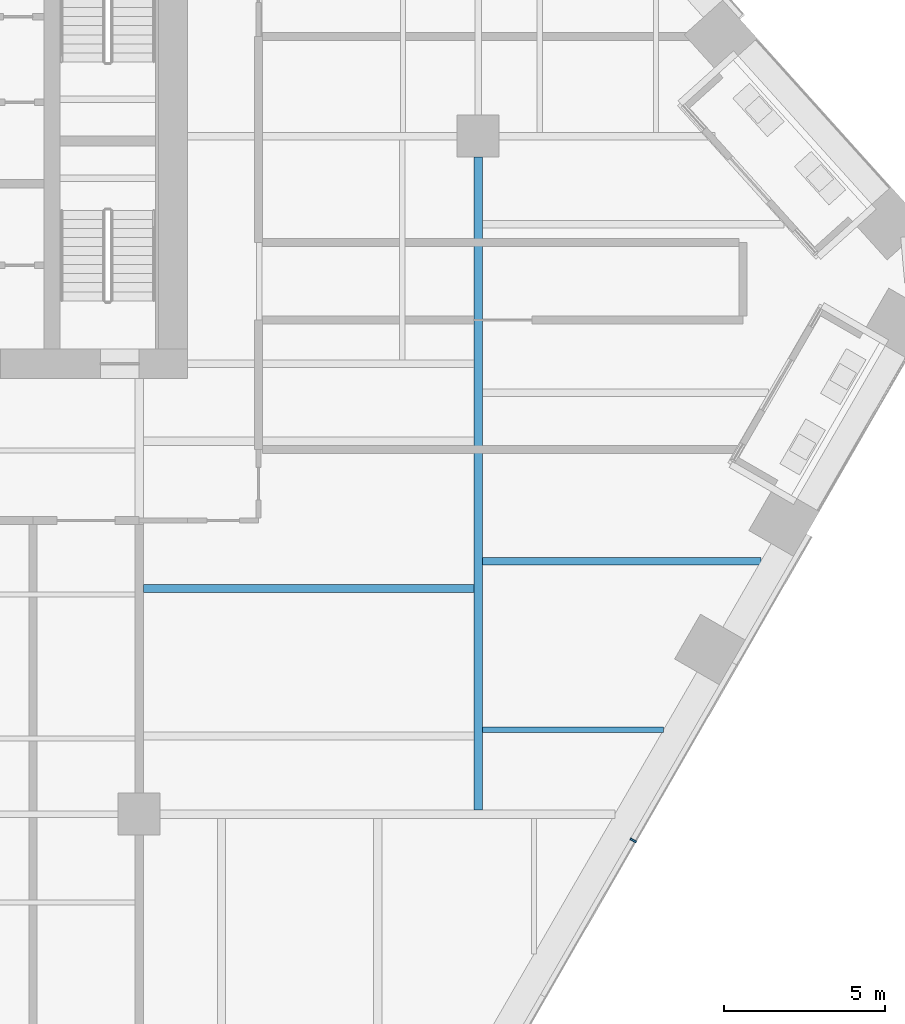
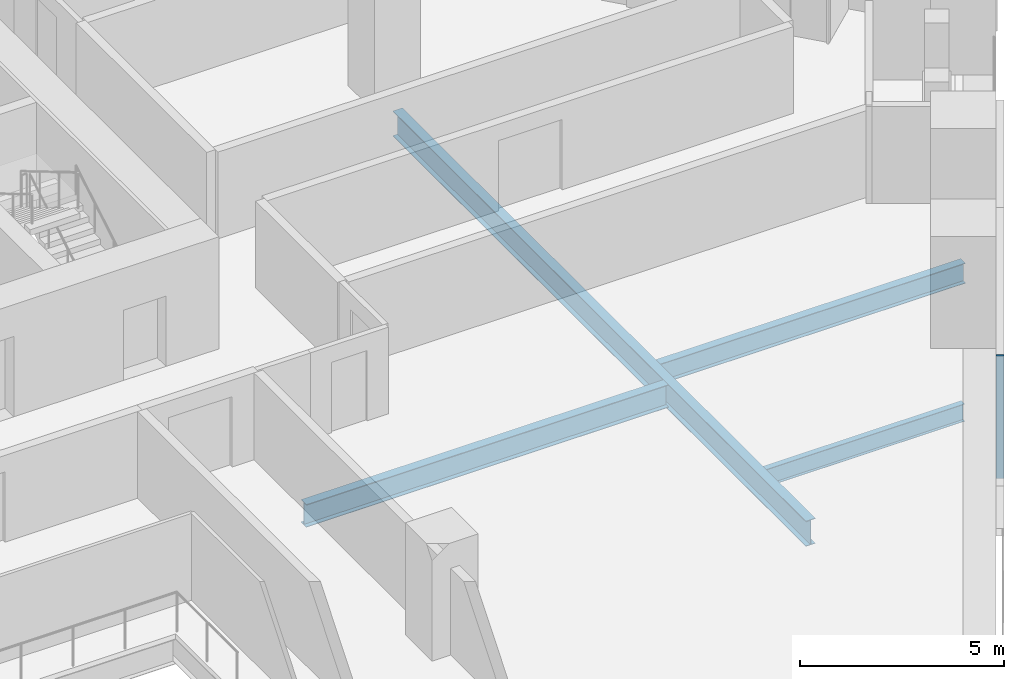
# One storey, part 9 of 31: 4 beams, 1 member, 1 element without a shape of its own.
"""IFC4 building model written with IfcOpenShell, lengths in metres."""

from ifc_helpers import new_model, si_unit, direction, frame, origin, origin_2d, place, context, subcontext, project, spatial, rectangle, i_section, extrude, material, layer, layer_set, material_profile, profile_set, type_object, element, aggregate, save


model = new_model("IFC4")

# Units and contexts
model_context = context("Model", 3, precision=1e-05, world=origin(), true_north=direction((0.0, 1.0)))
body_context = subcontext(model_context, "Body", "Model", "MODEL_VIEW")
ifc_project = project(units=[si_unit("LENGTHUNIT", "METRE"), si_unit("AREAUNIT", "SQUARE_METRE"), si_unit("VOLUMEUNIT", "CUBIC_METRE"), si_unit("PLANEANGLEUNIT", "RADIAN"), si_unit("MASSUNIT", "GRAM", prefix="KILO")], contexts=[model_context])

# Site, building, storey
site_placement = place(None, origin())
site = spatial("IfcSite", under=ifc_project, at=site_placement, CompositionType="ELEMENT")
building_placement = place(site_placement, origin())
building = spatial("IfcBuilding", under=site, at=building_placement, Name="Isthmus Gate Tower", CompositionType="ELEMENT")
storey_placement = place(building_placement, frame((0.0, 0.0, 113.5)))
storey = spatial("IfcBuildingStorey", under=building, at=storey_placement, Name="L27", CompositionType="ELEMENT", Elevation=113.5)

# Curtain wall, member
ifc_material_1 = material(Name="Aluminium, pale champagne anodised", Category="aluminium")
ifc_layer = layer(ifc_material_1, 0.199951171875)
ifc_layer_set = layer_set([ifc_layer], Name="CW-1 UNITISED CURTAIN WALL 200 DEEP")
curtain_wall_type = type_object("IfcCurtainWallType", Name="CW-1 UNITISED CURTAIN WALL 200 DEEP", PredefinedType="NOTDEFINED", material=ifc_layer_set)
curtain_wall_placement = place(storey_placement, origin())
curtain_wall = element("IfcCurtainWall", 1, at=curtain_wall_placement, inside=storey, type_object=curtain_wall_type, Name="CW-1 SE L27", PredefinedType="NOTDEFINED")
ifc_material_2 = material(Name="Aluminium, pale champagne anodised", Category="aluminium")
ifc_material_profile_1 = material_profile(ifc_material_2, rectangle(XDim=0.06005859375, YDim=0.199951171875, at=origin_2d()), Name="60x200")
ifc_profile_set_1 = profile_set([ifc_material_profile_1], Name="Aluminium, pale champagne anodised")
member_type = type_object("IfcMemberType", Name="CW-1 MULLION 60 X 200", PredefinedType="MULLION", material=ifc_profile_set_1)
member_placement = place(storey_placement, frame((28.802001953125, -14.3134765625, 0.0), z_axis=(0.0, 0.0, 1.0), x_axis=(0.5, 0.866025403784, 0.0)))
member = element("IfcMember", 2, at=member_placement, type_object=member_type, Name="CW-1 mullion", PredefinedType="MULLION", context=body_context, shape_type="SweptSolid", body=[
    extrude(rectangle(XDim=0.06005859375, YDim=0.199951171875, at=origin_2d()), origin(), (0.0, 0.0, 1.0), 3.64990234375),
])
aggregate(curtain_wall, [member])

# Beams
ifc_material_3 = material(Name="Structural steel ASTM A992 Gr 50", Category="steel")
ifc_material_profile_2 = material_profile(ifc_material_3, i_section(OverallWidth=0.1650390625, OverallDepth=0.52392578125, WebThickness=0.009521484375, FlangeThickness=0.010986328125, at=origin_2d()), Name="W21X44")
ifc_profile_set_2 = profile_set([ifc_material_profile_2], Name="Structural steel ASTM A992 Gr 50")
beam_type_1 = type_object("IfcBeamType", Name="STEEL FLOOR BEAM W21X44", PredefinedType="JOIST", material=ifc_profile_set_2)
beam_1_placement = place(storey_placement, frame((24.13330078125, -10.889404296875, -0.411865234375), z_axis=(1.0, 0.0, 0.0), x_axis=(0.0, 1.0, 0.0)))
element("IfcBeam", 3, at=beam_1_placement, inside=storey, type_object=beam_type_1, Name="str-beam-L27-38-00", PredefinedType="JOIST", context=body_context, shape_type="SweptSolid", body=[
    extrude(i_section(OverallWidth=0.1650390625, OverallDepth=0.52392578125, WebThickness=0.009521484375, FlangeThickness=0.010986328125, at=origin_2d()), origin(), (0.0, 0.0, 1.0), 5.6064453125),
])
ifc_material_4 = material(Name="Structural steel ASTM A992 Gr 50", Category="steel")
ifc_material_profile_3 = material_profile(ifc_material_4, i_section(OverallWidth=0.228515625, OverallDepth=0.603271484375, WebThickness=0.010986328125, FlangeThickness=0.014404296875, at=origin_2d()), Name="W24X68")
ifc_profile_set_3 = profile_set([ifc_material_profile_3], Name="Structural steel ASTM A992 Gr 50")
beam_type_2 = type_object("IfcBeamType", Name="STEEL FLOOR BEAM W24X68", PredefinedType="JOIST", material=ifc_profile_set_3)
beam_2_placement = place(storey_placement, frame((24.13330078125, -5.66796875, -0.45166015625), z_axis=(1.0, 0.0, 0.0), x_axis=(0.0, 1.0, 0.0)))
element("IfcBeam", 4, at=beam_2_placement, inside=storey, type_object=beam_type_2, Name="str-beam-L27-38-01", PredefinedType="JOIST", context=body_context, shape_type="SweptSolid", body=[
    extrude(i_section(OverallWidth=0.228515625, OverallDepth=0.603271484375, WebThickness=0.010986328125, FlangeThickness=0.014404296875, at=origin_2d()), origin(), (0.0, 0.0, 1.0), 8.62109375),
])
ifc_material_5 = material(Name="Structural steel ASTM A992 Gr 50", Category="steel")
ifc_material_profile_4 = material_profile(ifc_material_5, i_section(OverallWidth=0.25390625, OverallDepth=0.679443359375, WebThickness=0.010986328125, FlangeThickness=0.015869140625, at=origin_2d()), Name="W27X84")
ifc_profile_set_4 = profile_set([ifc_material_profile_4], Name="Structural steel ASTM A992 Gr 50")
beam_type_3 = type_object("IfcBeamType", Name="STEEL FLOOR BEAM W27X84", PredefinedType="JOIST", material=ifc_profile_set_4)
beam_3_placement = place(storey_placement, frame((13.6318359375, -6.515380859375, -0.48974609375), z_axis=(1.0, 0.0, 0.0), x_axis=(0.0, 1.0, 0.0)))
element("IfcBeam", 5, at=beam_3_placement, inside=storey, type_object=beam_type_3, Name="str-beam-L27-31-01", PredefinedType="JOIST", context=body_context, shape_type="SweptSolid", body=[
    extrude(i_section(OverallWidth=0.25390625, OverallDepth=0.679443359375, WebThickness=0.010986328125, FlangeThickness=0.015869140625, at=origin_2d()), origin(), (0.0, 0.0, 1.0), 10.23486328125),
])
ifc_material_6 = material(Name="Structural steel ASTM A992 Gr 50", Category="steel")
ifc_material_profile_5 = material_profile(ifc_material_6, i_section(OverallWidth=0.2666015625, OverallDepth=0.7587890625, WebThickness=0.014404296875, FlangeThickness=0.01904296875, at=origin_2d()), Name="W30X108")
ifc_profile_set_5 = profile_set([ifc_material_profile_5], Name="Structural steel ASTM A992 Gr 50")
beam_type_4 = type_object("IfcBeamType", Name="STEEL GIRDER W30X108", PredefinedType="BEAM", material=ifc_profile_set_5)
beam_4_placement = place(storey_placement, frame((24.0, -13.36669921875, -0.529296875), z_axis=(0.0, 1.0, 0.0), x_axis=(-1.0, 0.0, 0.0)))
element("IfcBeam", 6, at=beam_4_placement, inside=storey, type_object=beam_type_4, Name="str-girder-L27-36", PredefinedType="BEAM", context=body_context, shape_type="SweptSolid", body=[
    extrude(i_section(OverallWidth=0.2666015625, OverallDepth=0.7587890625, WebThickness=0.014404296875, FlangeThickness=0.01904296875, at=origin_2d()), origin(), (0.0, 0.0, 1.0), 20.216796875),
])

save(model, "model.ifc")
